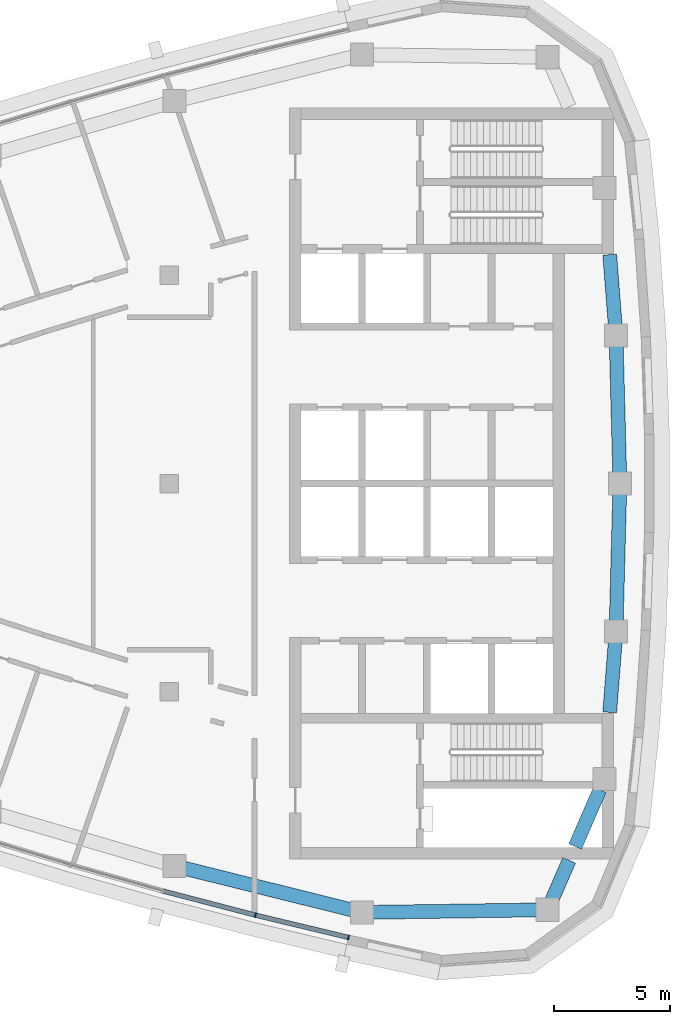
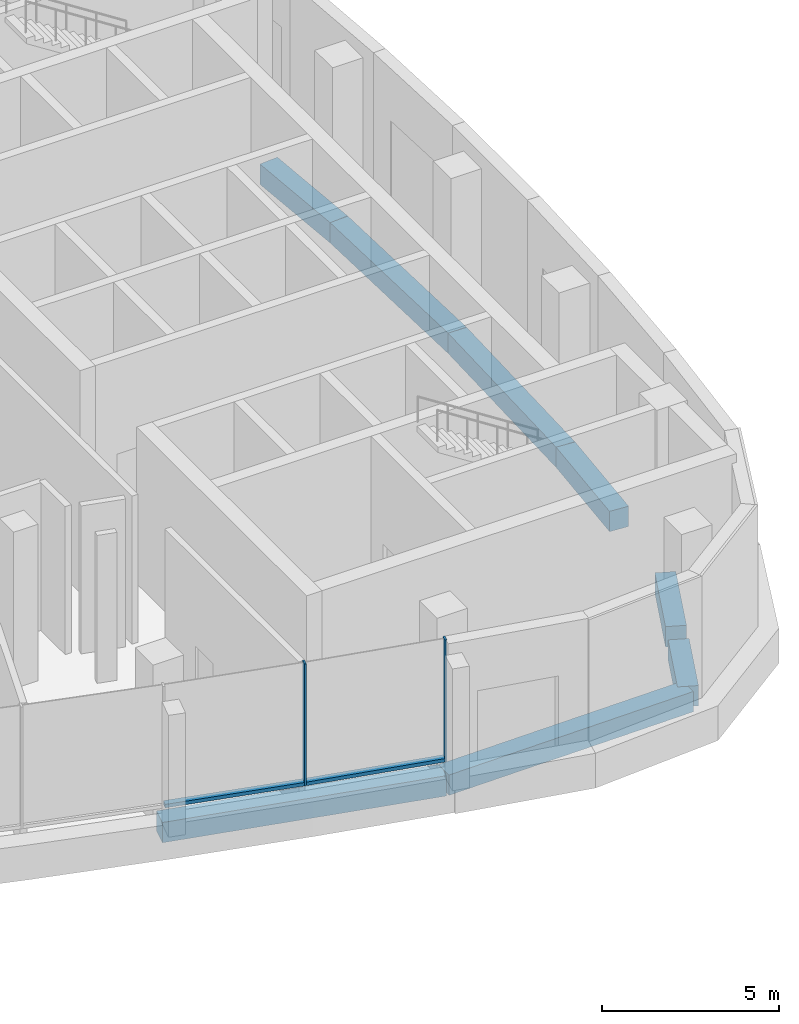
# One storey, part 4 of 15: 8 beams, 4 members, 1 element without a shape of its own.
"""IFC4 building model written with IfcOpenShell, lengths in metres."""

from ifc_helpers import new_model, si_unit, direction, frame, origin, origin_2d, place, context, subcontext, project, spatial, rectangle, extrude, material, layer, layer_set, material_profile, profile_set, type_object, element, aggregate, save


model = new_model("IFC4")

# Units and contexts
model_context = context("Model", 3, precision=1e-05, world=origin(), true_north=direction((0.0, 1.0)))
body_context = subcontext(model_context, "Body", "Model", "MODEL_VIEW")
ifc_project = project(units=[si_unit("LENGTHUNIT", "METRE"), si_unit("AREAUNIT", "SQUARE_METRE"), si_unit("VOLUMEUNIT", "CUBIC_METRE"), si_unit("PLANEANGLEUNIT", "RADIAN"), si_unit("MASSUNIT", "GRAM", prefix="KILO")], contexts=[model_context])

# Site, building, storey
site_placement = place(None, origin())
site = spatial("IfcSite", under=ifc_project, at=site_placement, CompositionType="ELEMENT")
building_placement = place(site_placement, origin())
building = spatial("IfcBuilding", under=site, at=building_placement, Name="Ostrand Prow Hotel Tower", CompositionType="ELEMENT")
storey_placement = place(building_placement, frame((0.0, 0.0, 313.199951171875)))
storey = spatial("IfcBuildingStorey", under=building, at=storey_placement, Name="C2", CompositionType="ELEMENT", Elevation=313.199951171875)

# Beams
ifc_material_1 = material(Name="Concrete C40/50", Category="concrete")
ifc_material_profile_1 = material_profile(ifc_material_1, rectangle(XDim=0.60009765625, YDim=0.699951171875, at=origin_2d()), Name="RC 600x700")
ifc_profile_set_1 = profile_set([ifc_material_profile_1], Name="Concrete C40/50")
beam_type = type_object("IfcBeamType", Name="Edge beam 600x700 C40/50", PredefinedType="SPANDREL", material=ifc_profile_set_1)
beam_1_placement = place(storey_placement, frame((45.234619140625, -16.53857421875, -0.64990234375), z_axis=(0.970456465292, -0.241276291775, 0.0), x_axis=(0.241276291775, 0.970456465292, 0.0)))
element("IfcBeam", 1, at=beam_1_placement, inside=storey, type_object=beam_type, Name="Edge beam S5-S6", PredefinedType="SPANDREL", context=body_context, shape_type="SweptSolid", body=[
    extrude(rectangle(XDim=0.60009765625, YDim=0.699951171875, at=origin_2d()), origin(), (0.0, 0.0, 1.0), 8.348876953125),
])
beam_2_placement = place(storey_placement, frame((53.3369140625, -18.552978515625, -0.64990234375), z_axis=(0.999900689486, 0.014092947356, 0.0), x_axis=(-0.014092947356, 0.999900689486, 0.0)))
element("IfcBeam", 2, at=beam_2_placement, inside=storey, type_object=beam_type, Name="Edge beam S6-SE", PredefinedType="SPANDREL", context=body_context, shape_type="SweptSolid", body=[
    extrude(rectangle(XDim=0.60009765625, YDim=0.699951171875, at=origin_2d()), origin(), (0.0, 0.0, 1.0), 8.0380859375),
])
beam_3_placement = place(storey_placement, frame((61.374267578125, -18.439697265625, -0.64990234375), z_axis=(0.398863844187, 0.91701016014, 0.0), x_axis=(-0.91701016014, 0.398863844187, 0.0)))
element("IfcBeam", 3, at=beam_3_placement, inside=storey, type_object=beam_type, Name="Edge beam SE-B1", PredefinedType="SPANDREL", context=body_context, shape_type="SweptSolid", body=[
    extrude(rectangle(XDim=0.60009765625, YDim=0.699951171875, at=origin_2d()), origin(), (0.0, 0.0, 1.0), 2.333251953125),
])
beam_4_placement = place(storey_placement, frame((62.56591796875, -15.699951171875, -0.64990234375), z_axis=(0.398799624102, 0.917038090712, 0.0), x_axis=(-0.917038090712, 0.398799624102, 0.0)))
element("IfcBeam", 4, at=beam_4_placement, inside=storey, type_object=beam_type, Name="Edge beam SE-B1", PredefinedType="SPANDREL", context=body_context, shape_type="SweptSolid", body=[
    extrude(rectangle(XDim=0.60009765625, YDim=0.699951171875, at=origin_2d()), origin(), (0.0, 0.0, 1.0), 2.671630859375),
])
beam_5_placement = place(storey_placement, frame((64.058349609375, -9.89990234375, -0.64990234375), z_axis=(0.078240080308, 0.996934546414, 0.0), x_axis=(-0.996934546414, 0.078240080308, 0.0)))
element("IfcBeam", 5, at=beam_5_placement, inside=storey, type_object=beam_type, Name="Edge beam B1-B2", PredefinedType="SPANDREL", context=body_context, shape_type="SweptSolid", body=[
    extrude(rectangle(XDim=0.60009765625, YDim=0.699951171875, at=origin_2d()), origin(), (0.0, 0.0, 1.0), 3.50732421875),
])
for number, where, z_axis, x_axis, name in (
    (6, (64.332763671875, -6.4033203125, -0.64990234375), (0.026108223987, 0.999659122221, 0.0), (-0.999659122221, 0.026108223987, 0.0), "Edge beam B2-B3"),
    (7, (64.5, 0.0, -0.64990234375), (-0.026108223987, 0.999659122221, 0.0), (-0.999659122221, -0.026108223987, 0.0), "Edge beam B3-B4"),
):
    element("IfcBeam", number, at=place(storey_placement, frame(where, z_axis=z_axis, x_axis=x_axis)), inside=storey, type_object=beam_type, Name=name, PredefinedType="SPANDREL", context=body_context, shape_type="SweptSolid", body=[
        extrude(rectangle(XDim=0.60009765625, YDim=0.699951171875, at=origin_2d()), origin(), (0.0, 0.0, 1.0), 6.405517578125),
    ])
beam_6_placement = place(storey_placement, frame((64.332763671875, 6.4033203125, -0.64990234375), z_axis=(-0.078240080308, 0.996934546414, 0.0), x_axis=(-0.996934546414, -0.078240080308, 0.0)))
element("IfcBeam", 8, at=beam_6_placement, inside=storey, type_object=beam_type, Name="Edge beam B4-B5", PredefinedType="SPANDREL", context=body_context, shape_type="SweptSolid", body=[
    extrude(rectangle(XDim=0.60009765625, YDim=0.699951171875, at=origin_2d()), origin(), (0.0, 0.0, 1.0), 3.50732421875),
])

# Curtain wall, members
ifc_material_2 = material(Name="Insulated glass in bronze anodised frame", Category="glass")
ifc_layer = layer(ifc_material_2, 0.199951171875)
ifc_layer_set = layer_set([ifc_layer], Name="Insulated glass in bronze anodised frame")
curtain_wall_type = type_object("IfcCurtainWallType", Name="Observation and restaurant glazing wall", PredefinedType="NOTDEFINED", material=ifc_layer_set)
curtain_wall_placement = place(storey_placement, origin())
curtain_wall = element("IfcCurtainWall", 9, at=curtain_wall_placement, inside=storey, type_object=curtain_wall_type, Name="CW6 run CWS5", PredefinedType="NOTDEFINED")
ifc_material_3 = material(Name="Bronze anodised aluminium", Category="aluminium")
ifc_material_profile_2 = material_profile(ifc_material_3, rectangle(XDim=0.199951171875, YDim=0.06005859375, at=origin_2d()), Name="Mullion 60x200 bronze anodised aluminium")
ifc_profile_set_2 = profile_set([ifc_material_profile_2], Name="Bronze anodised aluminium")
member_type_1 = type_object("IfcMemberType", Name="Mullion 60x200 bronze anodised aluminium", PredefinedType="MULLION", material=ifc_profile_set_2)
member_1_placement = place(storey_placement, frame((48.734619140625, -18.6708984375, 0.900146484375), z_axis=(0.0, 0.0, 1.0), x_axis=(0.232746096028, 0.972537533869, 0.0)))
member_1 = element("IfcMember", 10, at=member_1_placement, type_object=member_type_1, Name="CW6 mullion 2", PredefinedType="MULLION", context=body_context, shape_type="SweptSolid", body=[
    extrude(rectangle(XDim=0.199951171875, YDim=0.06005859375, at=origin_2d()), origin(), (0.0, 0.0, 1.0), 4.199951171875),
])
member_2_placement = place(storey_placement, frame((52.7607421875, -19.634521484375, 0.900146484375), z_axis=(0.0, 0.0, 1.0), x_axis=(0.232746096028, 0.972537533869, 0.0)))
member_2 = element("IfcMember", 11, at=member_2_placement, type_object=member_type_1, Name="CW6 mullion 3", PredefinedType="MULLION", context=body_context, shape_type="SweptSolid", body=[
    extrude(rectangle(XDim=0.199951171875, YDim=0.06005859375, at=origin_2d()), origin(), (0.0, 0.0, 1.0), 4.199951171875),
])
ifc_material_4 = material(Name="Bronze anodised aluminium", Category="aluminium")
ifc_material_profile_3 = material_profile(ifc_material_4, rectangle(XDim=0.199951171875, YDim=0.1201171875, at=origin_2d()), Name="Transom 120x200 bronze anodised aluminium")
ifc_profile_set_3 = profile_set([ifc_material_profile_3], Name="Bronze anodised aluminium")
member_type_2 = type_object("IfcMemberType", Name="Transom 120x200 bronze anodised aluminium", PredefinedType="USERDEFINED", material=ifc_profile_set_3)
member_3_placement = place(storey_placement, frame((44.7578125, -17.63427734375, 0.9599609375), z_axis=(0.967664917891, -0.252239185461, 0.0), x_axis=(0.252239185461, 0.967664917891, 0.0)))
member_3 = element("IfcMember", 12, at=member_3_placement, type_object=member_type_2, Name="CW6 transom 1.1", ObjectType="TRANSOM", PredefinedType="USERDEFINED", context=body_context, shape_type="SweptSolid", body=[
    extrude(rectangle(XDim=0.199951171875, YDim=0.1201171875, at=origin_2d()), origin(), (0.0, 0.0, 1.0), 4.07958984375),
])
member_4_placement = place(storey_placement, frame((48.763671875, -18.677978515625, 0.9599609375), z_axis=(0.972542980558, -0.232723335675, 0.0), x_axis=(0.232723335675, 0.972542980558, 0.0)))
member_4 = element("IfcMember", 13, at=member_4_placement, type_object=member_type_2, Name="CW6 transom 2.1", ObjectType="TRANSOM", PredefinedType="USERDEFINED", context=body_context, shape_type="SweptSolid", body=[
    extrude(rectangle(XDim=0.199951171875, YDim=0.1201171875, at=origin_2d()), origin(), (0.0, 0.0, 1.0), 4.079833984375),
])
aggregate(curtain_wall, [member_1, member_2, member_3, member_4])

save(model, "model.ifc")
